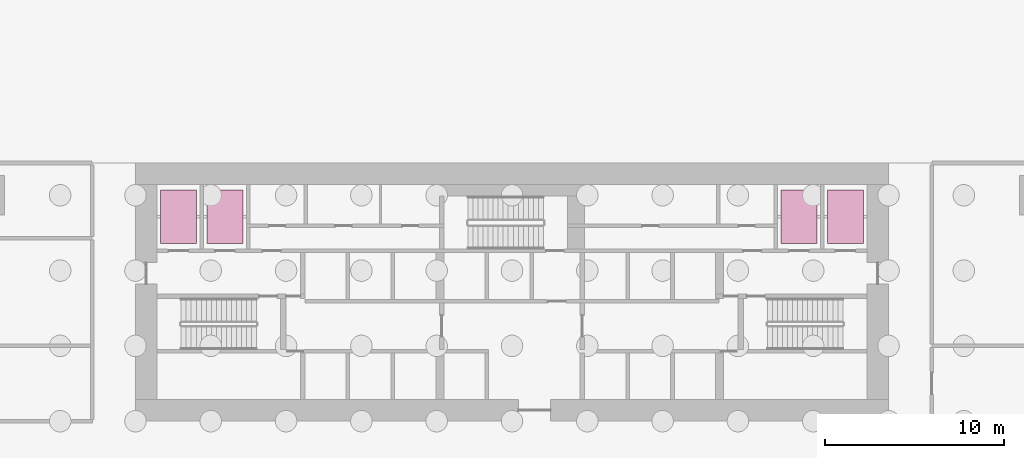
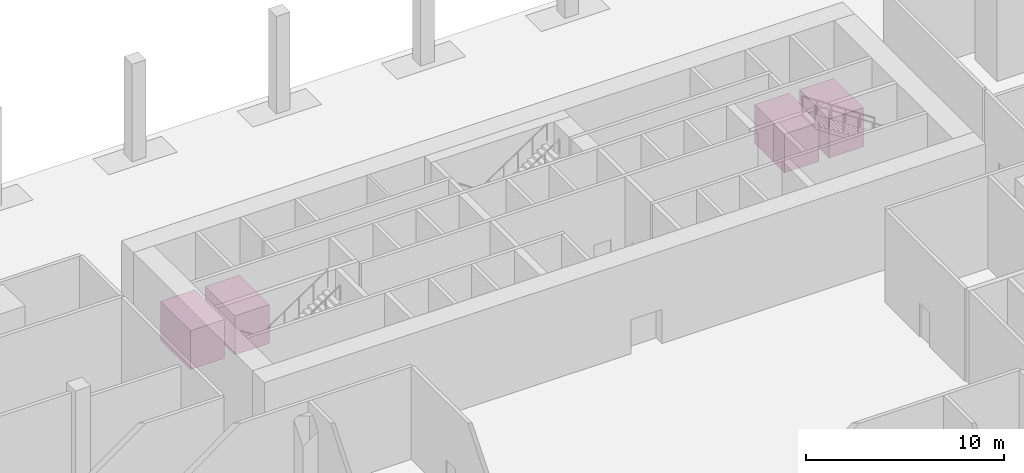
# One storey, part 16 of 16: 4 transport elements.
"""IFC4 building model written with IfcOpenShell, lengths in metres."""

import ifcopenshell
import ifcopenshell.guid

model = None  # the IFC model being written
_history = None  # IfcOwnerHistory: only IFC2X3 demands one
_inside = {}  # id of a spatial element -> (the spatial element, [elements in it])
_under = {}  # id of a project, library or spatial element -> (it, [spatial elements below it])
_declared = {}  # id of a project -> (the project, [libraries it declares])
_typed = {}  # id of a type object -> (the type object, [elements of that type])
_made_of = {}  # id of a material, layer set ... -> (it, [elements and type objects made of it])


def new_model(schema):
    """Start an empty IFC model of exactly this schema.

    Asked for "IFC4X3", IfcOpenShell would pick the latest addendum, in which some entities
    have other attributes; the version numbers below select the first issue.
    IFC2X3 requires an IfcOwnerHistory on every rooted entity: one is made here for all.
    """
    global model, _history
    if schema == "IFC4X3":
        model = ifcopenshell.file(schema_version=(4, 3, 0, 0))
    else:
        model = ifcopenshell.file(schema=schema)
    _inside.clear()
    _under.clear()
    _declared.clear()
    _typed.clear()
    _made_of.clear()
    _history = None
    if model.schema == "IFC2X3":
        org = make("IfcOrganization", Name="unknown")
        user = make(
            "IfcPersonAndOrganization",
            ThePerson=make("IfcPerson", FamilyName="unknown"),
            TheOrganization=org,
        )
        app = make(
            "IfcApplication",
            ApplicationDeveloper=org,
            Version="unknown",
            ApplicationFullName="unknown",
            ApplicationIdentifier="unknown",
        )
        _history = make(
            "IfcOwnerHistory",
            OwningUser=user,
            OwningApplication=app,
            ChangeAction="ADDED",
            CreationDate=0,
        )
    return model


def make(cls, **values):
    """One entity of the class cls with the attributes given. An attribute that is None is left unset."""
    return model.create_entity(
        cls, **{name: value for name, value in values.items() if value is not None}
    )


def rooted(cls, **values):
    """An entity with a GlobalId (a new one), such as an element, a storey or a relation."""
    return make(cls, GlobalId=ifcopenshell.guid.new(), OwnerHistory=_history, **values)


def si_unit(unit_type, name, prefix=None):
    """IfcSIUnit, for example si_unit("LENGTHUNIT", "METRE", prefix="MILLI")."""
    return make("IfcSIUnit", UnitType=unit_type, Prefix=prefix, Name=name)


def assignment(units):
    """IfcUnitAssignment: the units of a project."""
    return None if units is None else make("IfcUnitAssignment", Units=units)


def point(xyz):
    """IfcCartesianPoint."""
    return None if xyz is None else make("IfcCartesianPoint", Coordinates=xyz)


def direction(xyz):
    """IfcDirection."""
    return None if xyz is None else make("IfcDirection", DirectionRatios=xyz)


def frame(location, z_axis=None, x_axis=None):
    """IfcAxis2Placement3D, a coordinate frame: its origin and axes. An axis left out is left unset."""
    return make(
        "IfcAxis2Placement3D",
        Location=point(location),
        Axis=direction(z_axis),
        RefDirection=direction(x_axis),
    )


def frame_2d(location, x_axis=None):
    """IfcAxis2Placement2D, a coordinate frame in the plane: its origin and x axis."""
    return make(
        "IfcAxis2Placement2D", Location=point(location), RefDirection=direction(x_axis)
    )


def origin():
    """The frame at (0, 0, 0) with its axes left unset."""
    return frame((0.0, 0.0, 0.0))


def origin_2d():
    """The frame at (0, 0) in the plane with its x axis left unset."""
    return frame_2d((0.0, 0.0))


def place(relative_to, where):
    """IfcLocalPlacement: puts the frame where relative to a parent placement (None: the world)."""
    return make(
        "IfcLocalPlacement", PlacementRelTo=relative_to, RelativePlacement=where
    )


def context(
    kind, dimensions, precision=None, world=None, true_north=None, identifier=None
):
    """IfcGeometricRepresentationContext, for example the 3D "Model" context."""
    return make(
        "IfcGeometricRepresentationContext",
        ContextIdentifier=identifier,
        ContextType=kind,
        CoordinateSpaceDimension=dimensions,
        Precision=precision,
        WorldCoordinateSystem=world,
        TrueNorth=true_north,
    )


def subcontext(parent, identifier, kind, view, scale=None):
    """IfcGeometricRepresentationSubContext, for example "Body" below "Model"."""
    return make(
        "IfcGeometricRepresentationSubContext",
        ContextIdentifier=identifier,
        ContextType=kind,
        ParentContext=parent,
        TargetScale=scale,
        TargetView=view,
    )


def project(units=None, contexts=None):
    """IfcProject with its units and contexts."""
    return rooted(
        "IfcProject",
        Name="project",
        RepresentationContexts=contexts,
        UnitsInContext=assignment(units),
    )


def spatial(cls, under=None, at=None, **own):
    """A site, building, storey or space (cls), placed at a placement, below another one or the project."""
    s = rooted(cls, ObjectPlacement=at, **own)
    if under is not None:
        _under.setdefault(under.id(), (under, []))[1].append(s)
    return s


def profile(cls, at=None, kind="AREA", **sizes):
    """A parametric profile (cls). Its sizes go by their IFC names, for example OverallWidth=200.0."""
    return make(cls, ProfileType=kind, Position=at, **sizes)


def rectangle(**sizes):
    """IfcRectangleProfileDef."""
    return profile("IfcRectangleProfileDef", **sizes)


def extrude(swept, where, along, depth):
    """IfcExtrudedAreaSolid: the profile swept, set in the frame where, extruded along a direction by depth."""
    return make(
        "IfcExtrudedAreaSolid",
        SweptArea=swept,
        Position=where,
        ExtrudedDirection=direction(along),
        Depth=depth,
    )


def shape(context_of_items, identifier, shape_type, items):
    """IfcShapeRepresentation: the items that make up one representation, for example the "Body"."""
    return make(
        "IfcShapeRepresentation",
        ContextOfItems=context_of_items,
        RepresentationIdentifier=identifier,
        RepresentationType=shape_type,
        Items=items,
    )


def material(Name=None, Category=None):
    """IfcMaterial."""
    return make("IfcMaterial", Name=Name, Category=Category)


def made_of(thing, what):
    """Note that an element or type object is made of a material, layer set ...; save() writes the relation."""
    if what is not None:
        _made_of.setdefault(what.id(), (what, []))[1].append(thing)
    return thing


def type_object(cls, material=None, **own):
    """A type object (cls), such as IfcWallType, which elements share."""
    return made_of(rooted(cls, **own), material)


def element(
    cls,
    number,
    at=None,
    inside=None,
    cuts=None,
    type_object=None,
    material=None,
    context=None,
    identifier="Body",
    shape_type=None,
    held_by="IfcProductDefinitionShape",
    body=None,
    shapes=None,
    **own,
):
    """One element of the class cls, such as IfcWall. Its Tag is "e" and its number.

    at: its placement. inside: the storey or other place that contains it. cuts: it is an
    opening in that element (IfcRelVoidsElement). A single representation is given by context,
    identifier, shape_type and body (its items); several are given by shapes. held_by: the class
    of the entity that holds the representations. save() writes the other relations.
    """
    e = rooted(cls, Tag="e%d" % number, ObjectPlacement=at, **own)
    if body is not None:
        shapes = [shape(context, identifier, shape_type, body)]
    if shapes is not None:
        e.Representation = make(held_by, Representations=shapes)
    if inside is not None:
        _inside.setdefault(inside.id(), (inside, []))[1].append(e)
    if cuts is not None:
        rooted(
            "IfcRelVoidsElement", RelatingBuildingElement=cuts, RelatedOpeningElement=e
        )
    if type_object is not None:
        _typed.setdefault(type_object.id(), (type_object, []))[1].append(e)
    return made_of(e, material)


def aggregate(whole, parts):
    """IfcRelAggregates: a whole, such as a stair, and the parts it consists of."""
    return rooted("IfcRelAggregates", RelatingObject=whole, RelatedObjects=parts)


def save(model, path):
    """Write the relations noted so far, then the file.

    IfcRelAggregates (storeys below a building ...), IfcRelContainedInSpatialStructure (elements
    in a storey), IfcRelDefinesByType, IfcRelAssociatesMaterial and IfcRelDeclares: one each for
    every whole, place, type object, material and project.
    """
    for whole, parts in _under.values():
        aggregate(whole, parts)
    for where, things in _inside.values():
        rooted(
            "IfcRelContainedInSpatialStructure",
            RelatedElements=things,
            RelatingStructure=where,
        )
    for kind, things in _typed.values():
        rooted("IfcRelDefinesByType", RelatedObjects=things, RelatingType=kind)
    for what, things in _made_of.values():
        rooted("IfcRelAssociatesMaterial", RelatedObjects=things, RelatingMaterial=what)
    for by, libraries in _declared.values():
        rooted("IfcRelDeclares", RelatingContext=by, RelatedDefinitions=libraries)
    model.write(path)


model = new_model("IFC4")

# Units and contexts
model_context = context("Model", 3, precision=1e-05, world=origin(), true_north=direction((0.0, 1.0)))
body_context = subcontext(model_context, "Body", "Model", "MODEL_VIEW")
ifc_project = project(units=[si_unit("LENGTHUNIT", "METRE"), si_unit("AREAUNIT", "SQUARE_METRE"), si_unit("VOLUMEUNIT", "CUBIC_METRE"), si_unit("PLANEANGLEUNIT", "RADIAN"), si_unit("MASSUNIT", "GRAM", prefix="KILO")], contexts=[model_context])

# Site, building, storey
site_placement = place(None, origin())
site = spatial("IfcSite", under=ifc_project, at=site_placement, CompositionType="ELEMENT")
building_placement = place(site_placement, origin())
building = spatial("IfcBuilding", under=site, at=building_placement, Name="Saffron Gate Tower", CompositionType="ELEMENT")
storey_placement = place(building_placement, frame((0.0, 0.0, -6.0)))
storey = spatial("IfcBuildingStorey", under=building, at=storey_placement, Name="B1", CompositionType="ELEMENT", Elevation=-6.0)

# Transport elements
ifc_material = material(Name="Stainless steel lift car", Category="steel")
transport_element_type_1 = type_object("IfcTransportElementType", Name="LF6 Fire-fighting lift car 2000x3000", PredefinedType="ELEVATOR", material=ifc_material)
for number, where, z_axis, x_axis, name in (
    (1, (69.0, 72.60009765625, 0.0), (0.0, 0.0, 1.0), (1.0, 0.0, 0.0), "FF1 Fire-fighting lift"),
    (2, (106.199951171875, 72.60009765625, 0.0), (0.0, 0.0, 1.0), (1.0, 0.0, 0.0), "FF2 Fire-fighting lift"),
):
    element("IfcTransportElement", number, at=place(storey_placement, frame(where, z_axis=z_axis, x_axis=x_axis)), inside=storey, type_object=transport_element_type_1, Name=name, PredefinedType="ELEVATOR", context=body_context, shape_type="SweptSolid", body=[
        extrude(rectangle(XDim=2.0, YDim=3.0, at=origin_2d()), origin(), (0.0, 0.0, 1.0), 2.39990234375),
    ])
transport_element_type_2 = type_object("IfcTransportElementType", Name="LF7 Service lift car 2000x3000", PredefinedType="ELEVATOR", material=ifc_material)
for number, where, z_axis, x_axis, name in (
    (3, (71.60009765625, 72.60009765625, 0.0), (0.0, 0.0, 1.0), (1.0, 0.0, 0.0), "SV1 Service lift"),
    (4, (103.60009765625, 72.60009765625, 0.0), (0.0, 0.0, 1.0), (1.0, 0.0, 0.0), "SV2 Service lift"),
):
    element("IfcTransportElement", number, at=place(storey_placement, frame(where, z_axis=z_axis, x_axis=x_axis)), inside=storey, type_object=transport_element_type_2, Name=name, PredefinedType="ELEVATOR", context=body_context, shape_type="SweptSolid", body=[
        extrude(rectangle(XDim=2.0, YDim=3.0, at=origin_2d()), origin(), (0.0, 0.0, 1.0), 2.39990234375),
    ])

save(model, "model.ifc")
